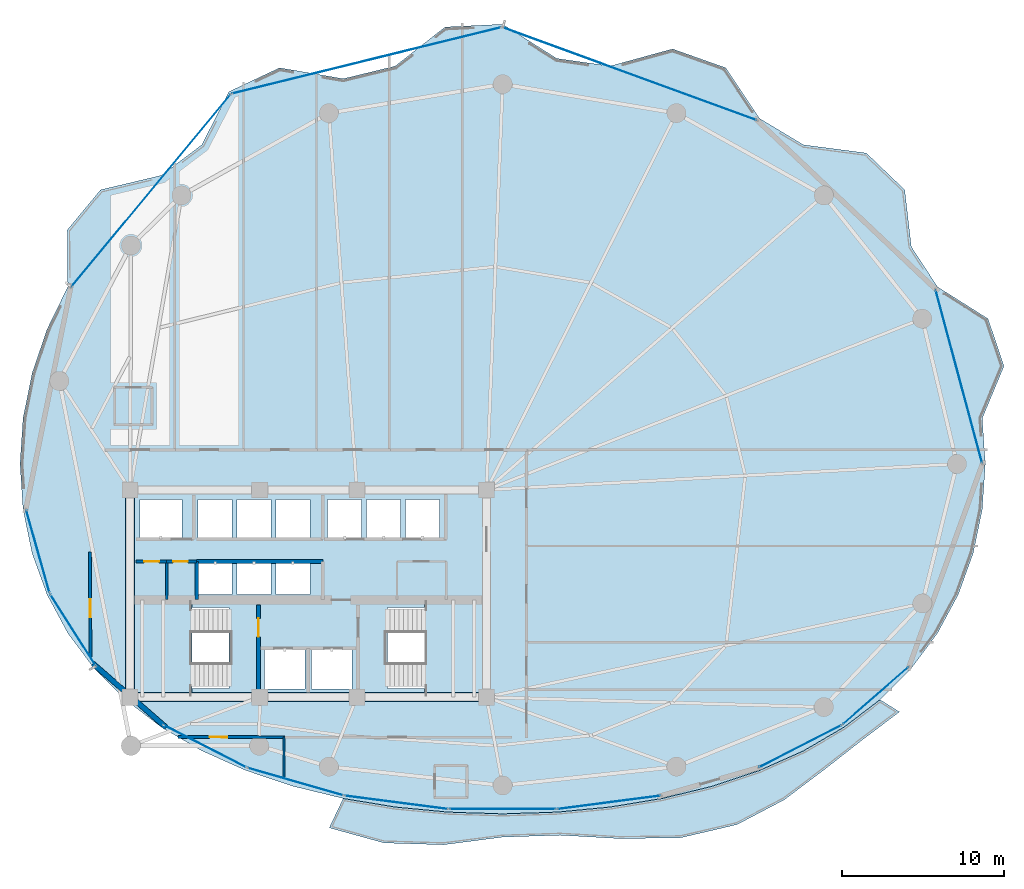
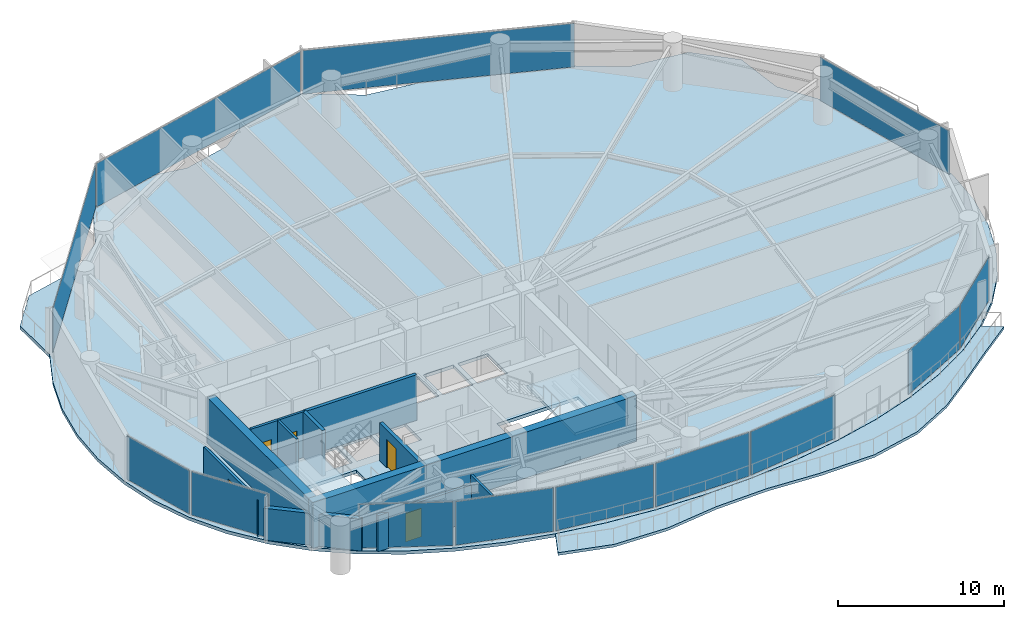
# One storey, part 22 of 28: 13 plates, 12 walls, 5 doors, 4 slabs, 5 openings, 15 elements without a shape of their own.
"""IFC4 building model written with IfcOpenShell, lengths in metres."""

import ifcopenshell
import ifcopenshell.guid

model = None  # the IFC model being written
_history = None  # IfcOwnerHistory: only IFC2X3 demands one
_inside = {}  # id of a spatial element -> (the spatial element, [elements in it])
_under = {}  # id of a project, library or spatial element -> (it, [spatial elements below it])
_declared = {}  # id of a project -> (the project, [libraries it declares])
_typed = {}  # id of a type object -> (the type object, [elements of that type])
_made_of = {}  # id of a material, layer set ... -> (it, [elements and type objects made of it])


def new_model(schema):
    """Start an empty IFC model of exactly this schema.

    Asked for "IFC4X3", IfcOpenShell would pick the latest addendum, in which some entities
    have other attributes; the version numbers below select the first issue.
    IFC2X3 requires an IfcOwnerHistory on every rooted entity: one is made here for all.
    """
    global model, _history
    if schema == "IFC4X3":
        model = ifcopenshell.file(schema_version=(4, 3, 0, 0))
    else:
        model = ifcopenshell.file(schema=schema)
    _inside.clear()
    _under.clear()
    _declared.clear()
    _typed.clear()
    _made_of.clear()
    _history = None
    if model.schema == "IFC2X3":
        org = make("IfcOrganization", Name="unknown")
        user = make(
            "IfcPersonAndOrganization",
            ThePerson=make("IfcPerson", FamilyName="unknown"),
            TheOrganization=org,
        )
        app = make(
            "IfcApplication",
            ApplicationDeveloper=org,
            Version="unknown",
            ApplicationFullName="unknown",
            ApplicationIdentifier="unknown",
        )
        _history = make(
            "IfcOwnerHistory",
            OwningUser=user,
            OwningApplication=app,
            ChangeAction="ADDED",
            CreationDate=0,
        )
    return model


def make(cls, **values):
    """One entity of the class cls with the attributes given. An attribute that is None is left unset."""
    return model.create_entity(
        cls, **{name: value for name, value in values.items() if value is not None}
    )


def rooted(cls, **values):
    """An entity with a GlobalId (a new one), such as an element, a storey or a relation."""
    return make(cls, GlobalId=ifcopenshell.guid.new(), OwnerHistory=_history, **values)


def si_unit(unit_type, name, prefix=None):
    """IfcSIUnit, for example si_unit("LENGTHUNIT", "METRE", prefix="MILLI")."""
    return make("IfcSIUnit", UnitType=unit_type, Prefix=prefix, Name=name)


def assignment(units):
    """IfcUnitAssignment: the units of a project."""
    return None if units is None else make("IfcUnitAssignment", Units=units)


def point(xyz):
    """IfcCartesianPoint."""
    return None if xyz is None else make("IfcCartesianPoint", Coordinates=xyz)


def direction(xyz):
    """IfcDirection."""
    return None if xyz is None else make("IfcDirection", DirectionRatios=xyz)


def frame(location, z_axis=None, x_axis=None):
    """IfcAxis2Placement3D, a coordinate frame: its origin and axes. An axis left out is left unset."""
    return make(
        "IfcAxis2Placement3D",
        Location=point(location),
        Axis=direction(z_axis),
        RefDirection=direction(x_axis),
    )


def frame_2d(location, x_axis=None):
    """IfcAxis2Placement2D, a coordinate frame in the plane: its origin and x axis."""
    return make(
        "IfcAxis2Placement2D", Location=point(location), RefDirection=direction(x_axis)
    )


def origin():
    """The frame at (0, 0, 0) with its axes left unset."""
    return frame((0.0, 0.0, 0.0))


def origin_2d():
    """The frame at (0, 0) in the plane with its x axis left unset."""
    return frame_2d((0.0, 0.0))


def place(relative_to, where):
    """IfcLocalPlacement: puts the frame where relative to a parent placement (None: the world)."""
    return make(
        "IfcLocalPlacement", PlacementRelTo=relative_to, RelativePlacement=where
    )


def context(
    kind, dimensions, precision=None, world=None, true_north=None, identifier=None
):
    """IfcGeometricRepresentationContext, for example the 3D "Model" context."""
    return make(
        "IfcGeometricRepresentationContext",
        ContextIdentifier=identifier,
        ContextType=kind,
        CoordinateSpaceDimension=dimensions,
        Precision=precision,
        WorldCoordinateSystem=world,
        TrueNorth=true_north,
    )


def subcontext(parent, identifier, kind, view, scale=None):
    """IfcGeometricRepresentationSubContext, for example "Body" below "Model"."""
    return make(
        "IfcGeometricRepresentationSubContext",
        ContextIdentifier=identifier,
        ContextType=kind,
        ParentContext=parent,
        TargetScale=scale,
        TargetView=view,
    )


def project(units=None, contexts=None):
    """IfcProject with its units and contexts."""
    return rooted(
        "IfcProject",
        Name="project",
        RepresentationContexts=contexts,
        UnitsInContext=assignment(units),
    )


def spatial(cls, under=None, at=None, **own):
    """A site, building, storey or space (cls), placed at a placement, below another one or the project."""
    s = rooted(cls, ObjectPlacement=at, **own)
    if under is not None:
        _under.setdefault(under.id(), (under, []))[1].append(s)
    return s


def polyline(points):
    """IfcPolyline through the points."""
    return make("IfcPolyline", Points=[point(p) for p in points])


def profile(cls, at=None, kind="AREA", **sizes):
    """A parametric profile (cls). Its sizes go by their IFC names, for example OverallWidth=200.0."""
    return make(cls, ProfileType=kind, Position=at, **sizes)


def rectangle(**sizes):
    """IfcRectangleProfileDef."""
    return profile("IfcRectangleProfileDef", **sizes)


def outline(outer, holes=None, kind="AREA"):
    """IfcArbitraryClosedProfileDef: a profile drawn as a closed curve; with holes, ...WithVoids."""
    if holes is None:
        return make("IfcArbitraryClosedProfileDef", ProfileType=kind, OuterCurve=outer)
    return make(
        "IfcArbitraryProfileDefWithVoids",
        ProfileType=kind,
        OuterCurve=outer,
        InnerCurves=holes,
    )


def extrude(swept, where, along, depth):
    """IfcExtrudedAreaSolid: the profile swept, set in the frame where, extruded along a direction by depth."""
    return make(
        "IfcExtrudedAreaSolid",
        SweptArea=swept,
        Position=where,
        ExtrudedDirection=direction(along),
        Depth=depth,
    )


def shape(context_of_items, identifier, shape_type, items):
    """IfcShapeRepresentation: the items that make up one representation, for example the "Body"."""
    return make(
        "IfcShapeRepresentation",
        ContextOfItems=context_of_items,
        RepresentationIdentifier=identifier,
        RepresentationType=shape_type,
        Items=items,
    )


def material(Name=None, Category=None):
    """IfcMaterial."""
    return make("IfcMaterial", Name=Name, Category=Category)


def layer(
    of_material, thickness, ventilated=None, Name=None, Category=None, Priority=None
):
    """IfcMaterialLayer: one layer of a wall or slab, of a material (None: an air gap)."""
    return make(
        "IfcMaterialLayer",
        Material=of_material,
        LayerThickness=thickness,
        IsVentilated=ventilated,
        Name=Name,
        Category=Category,
        Priority=Priority,
    )


def layer_set(layers, Name=None):
    """IfcMaterialLayerSet."""
    return make("IfcMaterialLayerSet", MaterialLayers=layers, LayerSetName=Name)


def made_of(thing, what):
    """Note that an element or type object is made of a material, layer set ...; save() writes the relation."""
    if what is not None:
        _made_of.setdefault(what.id(), (what, []))[1].append(thing)
    return thing


def type_object(cls, material=None, **own):
    """A type object (cls), such as IfcWallType, which elements share."""
    return made_of(rooted(cls, **own), material)


def element(
    cls,
    number,
    at=None,
    inside=None,
    cuts=None,
    type_object=None,
    material=None,
    context=None,
    identifier="Body",
    shape_type=None,
    held_by="IfcProductDefinitionShape",
    body=None,
    shapes=None,
    **own,
):
    """One element of the class cls, such as IfcWall. Its Tag is "e" and its number.

    at: its placement. inside: the storey or other place that contains it. cuts: it is an
    opening in that element (IfcRelVoidsElement). A single representation is given by context,
    identifier, shape_type and body (its items); several are given by shapes. held_by: the class
    of the entity that holds the representations. save() writes the other relations.
    """
    e = rooted(cls, Tag="e%d" % number, ObjectPlacement=at, **own)
    if body is not None:
        shapes = [shape(context, identifier, shape_type, body)]
    if shapes is not None:
        e.Representation = make(held_by, Representations=shapes)
    if inside is not None:
        _inside.setdefault(inside.id(), (inside, []))[1].append(e)
    if cuts is not None:
        rooted(
            "IfcRelVoidsElement", RelatingBuildingElement=cuts, RelatedOpeningElement=e
        )
    if type_object is not None:
        _typed.setdefault(type_object.id(), (type_object, []))[1].append(e)
    return made_of(e, material)


def fill(opening, filler):
    """IfcRelFillsElement: the door or window that sits in an opening."""
    return rooted(
        "IfcRelFillsElement",
        RelatingOpeningElement=opening,
        RelatedBuildingElement=filler,
    )


def aggregate(whole, parts):
    """IfcRelAggregates: a whole, such as a stair, and the parts it consists of."""
    return rooted("IfcRelAggregates", RelatingObject=whole, RelatedObjects=parts)


def save(model, path):
    """Write the relations noted so far, then the file.

    IfcRelAggregates (storeys below a building ...), IfcRelContainedInSpatialStructure (elements
    in a storey), IfcRelDefinesByType, IfcRelAssociatesMaterial and IfcRelDeclares: one each for
    every whole, place, type object, material and project.
    """
    for whole, parts in _under.values():
        aggregate(whole, parts)
    for where, things in _inside.values():
        rooted(
            "IfcRelContainedInSpatialStructure",
            RelatedElements=things,
            RelatingStructure=where,
        )
    for kind, things in _typed.values():
        rooted("IfcRelDefinesByType", RelatedObjects=things, RelatingType=kind)
    for what, things in _made_of.values():
        rooted("IfcRelAssociatesMaterial", RelatedObjects=things, RelatingMaterial=what)
    for by, libraries in _declared.values():
        rooted("IfcRelDeclares", RelatingContext=by, RelatedDefinitions=libraries)
    model.write(path)


model = new_model("IFC4")

# Units and contexts
model_context = context("Model", 3, precision=1e-05, world=origin(), true_north=direction((0.0, 1.0)))
body_context = subcontext(model_context, "Body", "Model", "MODEL_VIEW")
ifc_project = project(units=[si_unit("LENGTHUNIT", "METRE"), si_unit("AREAUNIT", "SQUARE_METRE"), si_unit("VOLUMEUNIT", "CUBIC_METRE"), si_unit("PLANEANGLEUNIT", "RADIAN"), si_unit("MASSUNIT", "GRAM", prefix="KILO")], contexts=[model_context])

# Site, building, storey
site_placement = place(None, origin())
site = spatial("IfcSite", under=ifc_project, at=site_placement, CompositionType="ELEMENT")
building_placement = place(site_placement, origin())
building = spatial("IfcBuilding", under=site, at=building_placement, Name="Kazevale Care Tower and Concert Hall", CompositionType="ELEMENT")
storey_placement = place(building_placement, frame((0.0, 0.0, 102.60009765625)))
storey = spatial("IfcBuildingStorey", under=building, at=storey_placement, Name="L26", CompositionType="ELEMENT", Elevation=102.60009765625)

# Curtain wall, plate
ifc_material_1 = material(Name="Aluminium 6063-T6 and Low-E Glass", Category="aluminium")
ifc_layer_1 = layer(ifc_material_1, 0.179931640625)
ifc_layer_set_1 = layer_set([ifc_layer_1], Name="Aluminium 6063-T6 and Low-E Glass")
curtain_wall_type_1 = type_object("IfcCurtainWallType", Name="Convex Checkerboard Finned Curtain Wall CW-2", PredefinedType="NOTDEFINED", material=ifc_layer_set_1)
curtain_wall_1_placement = place(storey_placement, origin())
curtain_wall_1 = element("IfcCurtainWall", 1, at=curtain_wall_1_placement, inside=storey, type_object=curtain_wall_type_1, Name="cw:L26:f14", PredefinedType="NOTDEFINED")
ifc_material_2 = material(Name="Low-E Laminated Glass", Category="glass")
ifc_layer_2 = layer(ifc_material_2, 0.028076171875)
ifc_layer_set_2 = layer_set([ifc_layer_2], Name="Low-E Laminated Glass")
plate_type_1 = type_object("IfcPlateType", Name="CW-2 Low-E Glazing Panel 28mm", PredefinedType="CURTAIN_PANEL", material=ifc_layer_set_2)
plate_1_placement = place(storey_placement, frame((23.285888671875, 54.87255859375, 0.074951171875), z_axis=(0.0, 0.0, 1.0), x_axis=(0.637984048061, 0.770049579196, 0.0)))
plate_1 = element("IfcPlate", 2, at=plate_1_placement, type_object=plate_type_1, Name="CW-2 panel 1.1", PredefinedType="CURTAIN_PANEL", context=body_context, shape_type="SweptSolid", body=[
    extrude(rectangle(XDim=15.3701171875, YDim=0.028076171875, at=origin_2d()), origin(), (0.0, 0.0, 1.0), 3.2099609375),
])
aggregate(curtain_wall_1, [plate_1])

curtain_wall_2_placement = place(storey_placement, origin())
curtain_wall_2 = element("IfcCurtainWall", 3, at=curtain_wall_2_placement, inside=storey, type_object=curtain_wall_type_1, Name="cw:L26:f16", PredefinedType="NOTDEFINED")
plate_2_placement = place(storey_placement, frame((52.839599609375, 62.08544921875, 0.074951171875), z_axis=(0.0, 0.0, 1.0), x_axis=(0.939283008641, -0.343143453498, 0.0)))
plate_2 = element("IfcPlate", 4, at=plate_2_placement, type_object=plate_type_1, Name="CW-2 panel 1.1", PredefinedType="CURTAIN_PANEL", context=body_context, shape_type="SweptSolid", body=[
    extrude(rectangle(XDim=16.634765625, YDim=0.028076171875, at=origin_2d()), origin(), (0.0, 0.0, 1.0), 3.2099609375),
])
aggregate(curtain_wall_2, [plate_2])

ifc_layer_3 = layer(ifc_material_1, 0.179931640625)
ifc_layer_set_3 = layer_set([ifc_layer_3], Name="Aluminium 6063-T6 and Low-E Glass")
curtain_wall_type_2 = type_object("IfcCurtainWallType", Name="Convex Recessed Sunroom Curtain Wall CW-3", PredefinedType="NOTDEFINED", material=ifc_layer_set_3)
curtain_wall_3_placement = place(storey_placement, origin())
curtain_wall_3 = element("IfcCurtainWall", 5, at=curtain_wall_3_placement, inside=storey, type_object=curtain_wall_type_2, Name="cw:L26:f15", PredefinedType="NOTDEFINED")
ifc_layer_4 = layer(ifc_material_2, 0.028076171875)
ifc_layer_set_4 = layer_set([ifc_layer_4], Name="Low-E Laminated Glass")
plate_type_2 = type_object("IfcPlateType", Name="CW-3 Low-E Glazing Panel 28mm", PredefinedType="CURTAIN_PANEL", material=ifc_layer_set_4)
plate_3_placement = place(storey_placement, frame((36.595947265625, 62.909423828125, 0.074951171875), z_axis=(0.0, 0.0, 1.0), x_axis=(0.970997657217, 0.239088999495, 0.0)))
plate_3 = element("IfcPlate", 6, at=plate_3_placement, type_object=plate_type_2, Name="CW-3 panel 1.1", PredefinedType="CURTAIN_PANEL", context=body_context, shape_type="SweptSolid", body=[
    extrude(rectangle(XDim=17.061279296875, YDim=0.028076171875, at=origin_2d()), origin(), (0.0, 0.0, 1.0), 3.2099609375),
])
aggregate(curtain_wall_3, [plate_3])

ifc_layer_5 = layer(ifc_material_1, 0.179931640625)
ifc_layer_set_5 = layer_set([ifc_layer_5], Name="Aluminium 6063-T6 and Low-E Glass")
curtain_wall_type_3 = type_object("IfcCurtainWallType", Name="Waist & Upper Residential Curtain Wall CW-4", PredefinedType="NOTDEFINED", material=ifc_layer_set_5)
curtain_wall_4_placement = place(storey_placement, origin())
curtain_wall_4 = element("IfcCurtainWall", 7, at=curtain_wall_4_placement, inside=storey, type_object=curtain_wall_type_3, Name="cw:L26:f11", PredefinedType="NOTDEFINED")
ifc_layer_6 = layer(ifc_material_2, 0.030029296875)
ifc_layer_set_6 = layer_set([ifc_layer_6], Name="Low-E Laminated Glass")
plate_type_3 = type_object("IfcPlateType", Name="CW-4 Low-E Glazing Panel 30mm", PredefinedType="CURTAIN_PANEL", material=ifc_layer_set_6)
plate_4_placement = place(storey_placement, frame((18.470458984375, 27.75244140625, 0.080078125), z_axis=(0.0, 0.0, 1.0), x_axis=(-0.537239193981, 0.843429930967, 0.0)))
plate_4 = element("IfcPlate", 8, at=plate_4_placement, type_object=plate_type_3, Name="CW-4 panel 1.1", PredefinedType="CURTAIN_PANEL", context=body_context, shape_type="SweptSolid", body=[
    extrude(rectangle(XDim=5.176513671875, YDim=0.030029296875, at=origin_2d()), origin(), (0.0, 0.0, 1.0), 3.199951171875),
])
aggregate(curtain_wall_4, [plate_4])

curtain_wall_5_placement = place(storey_placement, origin())
curtain_wall_5 = element("IfcCurtainWall", 9, at=curtain_wall_5_placement, inside=storey, type_object=curtain_wall_type_3, Name="cw:L26:f12", PredefinedType="NOTDEFINED")
plate_5_placement = place(storey_placement, frame((16.301513671875, 32.612548828125, 0.080078125), z_axis=(0.0, 0.0, 1.0), x_axis=(-0.271284948278, 0.962499078876, 0.0)))
plate_5 = element("IfcPlate", 10, at=plate_5_placement, type_object=plate_type_3, Name="CW-4 panel 1.1", PredefinedType="CURTAIN_PANEL", context=body_context, shape_type="SweptSolid", body=[
    extrude(rectangle(XDim=5.262451171875, YDim=0.030029296875, at=origin_2d()), origin(), (0.0, 0.0, 1.0), 3.199951171875),
])
aggregate(curtain_wall_5, [plate_5])

curtain_wall_6_placement = place(storey_placement, origin())
curtain_wall_6 = element("IfcCurtainWall", 11, at=curtain_wall_6_placement, inside=storey, type_object=curtain_wall_type_3, Name="cw:L26:f18", PredefinedType="NOTDEFINED")
plate_6_placement = place(storey_placement, frame((73.169921875, 43.401611328125, 0.080078125), z_axis=(0.0, 0.0, 1.0), x_axis=(0.259264848961, -0.965806263229, 0.0)))
plate_6 = element("IfcPlate", 12, at=plate_6_placement, type_object=plate_type_3, Name="CW-4 panel 1.1", PredefinedType="CURTAIN_PANEL", context=body_context, shape_type="SweptSolid", body=[
    extrude(rectangle(XDim=11.025390625, YDim=0.030029296875, at=origin_2d()), origin(), (0.0, 0.0, 1.0), 3.199951171875),
])
aggregate(curtain_wall_6, [plate_6])

ifc_layer_7 = layer(ifc_material_1, 0.179931640625)
ifc_layer_set_7 = layer_set([ifc_layer_7], Name="Aluminium 6063-T6 and Low-E Glass")
curtain_wall_type_4 = type_object("IfcCurtainWallType", Name="Sheltered Concave Balcony Curtain Wall CW-5", PredefinedType="NOTDEFINED", material=ifc_layer_set_7)
curtain_wall_7_placement = place(storey_placement, origin())
curtain_wall_7 = element("IfcCurtainWall", 13, at=curtain_wall_7_placement, inside=storey, type_object=curtain_wall_type_4, Name="cw:L26:f02", PredefinedType="NOTDEFINED")
ifc_layer_8 = layer(ifc_material_2, 0.02587890625)
ifc_layer_set_8 = layer_set([ifc_layer_8], Name="Low-E Laminated Glass")
plate_type_4 = type_object("IfcPlateType", Name="CW-5 Low-E Glazing Panel 26mm", PredefinedType="CURTAIN_PANEL", material=ifc_layer_set_8)
plate_7_placement = place(storey_placement, frame((68.033447265625, 23.699951171875, 0.074951171875), z_axis=(0.0, 0.0, 1.0), x_axis=(-0.753062779437, -0.657948668382, 0.0)))
plate_7 = element("IfcPlate", 14, at=plate_7_placement, type_object=plate_type_4, Name="CW-5 panel 1.1", PredefinedType="CURTAIN_PANEL", context=body_context, shape_type="SweptSolid", body=[
    extrude(rectangle(XDim=5.32763671875, YDim=0.02587890625, at=origin_2d()), origin(), (0.0, 0.0, 1.0), 3.2099609375),
])
aggregate(curtain_wall_7, [plate_7])

curtain_wall_8_placement = place(storey_placement, origin())
curtain_wall_8 = element("IfcCurtainWall", 15, at=curtain_wall_8_placement, inside=storey, type_object=curtain_wall_type_4, Name="cw:L26:f03", PredefinedType="NOTDEFINED")
plate_8_placement = place(storey_placement, frame((63.3798828125, 20.571533203125, 0.074951171875), z_axis=(0.0, 0.0, 1.0), x_axis=(-0.890126646051, -0.455713236575, 0.0)))
plate_8 = element("IfcPlate", 16, at=plate_8_placement, type_object=plate_type_4, Name="CW-5 panel 1.1", PredefinedType="CURTAIN_PANEL", context=body_context, shape_type="SweptSolid", body=[
    extrude(rectangle(XDim=5.671630859375, YDim=0.02587890625, at=origin_2d()), origin(), (0.0, 0.0, 1.0), 3.2099609375),
])
aggregate(curtain_wall_8, [plate_8])

curtain_wall_9_placement = place(storey_placement, origin())
curtain_wall_9 = element("IfcCurtainWall", 17, at=curtain_wall_9_placement, inside=storey, type_object=curtain_wall_type_4, Name="cw:L26:f05", PredefinedType="NOTDEFINED")
plate_9_placement = place(storey_placement, frame((51.5654296875, 17.1044921875, 0.074951171875), z_axis=(0.0, 0.0, 1.0), x_axis=(-0.991685519364, -0.12868500567, 0.0)))
plate_9 = element("IfcPlate", 18, at=plate_9_placement, type_object=plate_type_4, Name="CW-5 panel 1.1", PredefinedType="CURTAIN_PANEL", context=body_context, shape_type="SweptSolid", body=[
    extrude(rectangle(XDim=6.38525390625, YDim=0.02587890625, at=origin_2d()), origin(), (0.0, 0.0, 1.0), 3.2099609375),
])
aggregate(curtain_wall_9, [plate_9])

curtain_wall_10_placement = place(storey_placement, origin())
curtain_wall_10 = element("IfcCurtainWall", 19, at=curtain_wall_10_placement, inside=storey, type_object=curtain_wall_type_4, Name="cw:L26:f06", PredefinedType="NOTDEFINED")
plate_10_placement = place(storey_placement, frame((45.0, 16.68408203125, 0.074951171875), z_axis=(0.0, 0.0, 1.0), x_axis=(-1.0, 0.0, 0.0)))
plate_10 = element("IfcPlate", 20, at=plate_10_placement, type_object=plate_type_4, Name="CW-5 panel 1.1", PredefinedType="CURTAIN_PANEL", context=body_context, shape_type="SweptSolid", body=[
    extrude(rectangle(XDim=6.5, YDim=0.02587890625, at=origin_2d()), origin(), (0.0, 0.0, 1.0), 3.2099609375),
])
aggregate(curtain_wall_10, [plate_10])

curtain_wall_11_placement = place(storey_placement, origin())
curtain_wall_11 = element("IfcCurtainWall", 21, at=curtain_wall_11_placement, inside=storey, type_object=curtain_wall_type_4, Name="cw:L26:f07", PredefinedType="NOTDEFINED")
plate_11_placement = place(storey_placement, frame((38.4345703125, 17.1044921875, 0.074951171875), z_axis=(0.0, 0.0, 1.0), x_axis=(-0.991685519364, 0.12868500567, 0.0)))
plate_11 = element("IfcPlate", 22, at=plate_11_placement, type_object=plate_type_4, Name="CW-5 panel 1.1", PredefinedType="CURTAIN_PANEL", context=body_context, shape_type="SweptSolid", body=[
    extrude(rectangle(XDim=6.38525390625, YDim=0.02587890625, at=origin_2d()), origin(), (0.0, 0.0, 1.0), 3.2099609375),
])
aggregate(curtain_wall_11, [plate_11])

curtain_wall_12_placement = place(storey_placement, origin())
curtain_wall_12 = element("IfcCurtainWall", 23, at=curtain_wall_12_placement, inside=storey, type_object=curtain_wall_type_4, Name="cw:L26:f08", PredefinedType="NOTDEFINED")
plate_12_placement = place(storey_placement, frame((32.202392578125, 18.385009765625, 0.074951171875), z_axis=(0.0, 0.0, 1.0), x_axis=(-0.961074102639, 0.276290733172, 0.0)))
plate_12 = element("IfcPlate", 24, at=plate_12_placement, type_object=plate_type_4, Name="CW-5 panel 1.1", PredefinedType="CURTAIN_PANEL", context=body_context, shape_type="SweptSolid", body=[
    extrude(rectangle(XDim=6.075439453125, YDim=0.02587890625, at=origin_2d()), origin(), (0.0, 0.0, 1.0), 3.2099609375),
])
aggregate(curtain_wall_12, [plate_12])

curtain_wall_13_placement = place(storey_placement, origin())
curtain_wall_13 = element("IfcCurtainWall", 25, at=curtain_wall_13_placement, inside=storey, type_object=curtain_wall_type_4, Name="cw:L26:f09", PredefinedType="NOTDEFINED")
plate_13_placement = place(storey_placement, frame((26.6201171875, 20.571533203125, 0.074951171875), z_axis=(0.0, 0.0, 1.0), x_axis=(-0.890126646051, 0.455713236575, 0.0)))
plate_13 = element("IfcPlate", 26, at=plate_13_placement, type_object=plate_type_4, Name="CW-5 panel 1.1", PredefinedType="CURTAIN_PANEL", context=body_context, shape_type="SweptSolid", body=[
    extrude(rectangle(XDim=5.671630859375, YDim=0.02587890625, at=origin_2d()), origin(), (0.0, 0.0, 1.0), 3.2099609375),
])
aggregate(curtain_wall_13, [plate_13])

# Slab
ifc_material_3 = material(Name="Concrete C40", Category="concrete")
ifc_layer_9 = layer(ifc_material_3, 0.199951171875)
ifc_layer_set_9 = layer_set([ifc_layer_9], Name="Concrete C40")
slab_type_1 = type_object("IfcSlabType", Name="Sinusoidal Concave Balcony Slab 200", PredefinedType="USERDEFINED", material=ifc_layer_set_9)
slab_1_placement = place(storey_placement, frame((0.0, 0.0, -0.2001953125)))
element("IfcSlab", 27, at=slab_1_placement, inside=storey, type_object=slab_type_1, Name="slab:L26:bal", ObjectType="BALCONY", PredefinedType="USERDEFINED", context=body_context, shape_type="SweptSolid", body=[
    extrude(outline(polyline([(69.502685546875, 22.6943359375), (67.14794921875, 20.917724609375), (64.82861328125, 19.10205078125), (62.377197265625, 17.26025390625), (59.466552734375, 15.73291015625), (55.998291015625, 14.922607421875), (52.24169921875, 14.868408203125), (48.55810546875, 15.07763671875), (45.0, 14.960693359375), (41.3505859375, 14.48779296875), (37.6748046875, 14.601806640625), (34.293701171875, 15.53515625), (35.155517578125, 17.343505859375), (35.15673828125, 17.34326171875), (38.368408203125, 16.81396484375), (41.6630859375, 16.49951171875), (45.0, 16.39501953125), (48.3369140625, 16.49951171875), (51.631591796875, 16.81396484375), (54.84326171875, 17.34326171875), (57.93115234375, 18.09375), (60.8564453125, 19.07275390625), (63.582275390625, 20.28759765625), (66.07470703125, 21.74365234375), (68.302001953125, 23.442626953125), (68.302978515625, 23.44384765625), (69.502685546875, 22.6943359375)])), origin(), (0.0, 0.0, 1.0), 0.2001953125),
])

# Stair, slab
stair_type = type_object("IfcStairType", Name="Exit Stair Assembly ST1-Z2", PredefinedType="HALF_TURN_STAIR", material=ifc_material_3)
stair_1_placement = place(storey_placement, origin())
stair_1 = element("IfcStair", 28, at=stair_1_placement, inside=storey, type_object=stair_type, Name="stair:L26:ST1", PredefinedType="HALF_TURN_STAIR")
ifc_layer_10 = layer(ifc_material_3, 0.199951171875)
ifc_layer_set_10 = layer_set([ifc_layer_10], Name="Concrete C40")
slab_type_2 = type_object("IfcSlabType", Name="Stair Half-Landing Slab ST1-Z2", PredefinedType="LANDING", material=ifc_layer_set_10)
slab_2_placement = place(storey_placement, frame((0.0, 0.0, 1.599853515625)))
slab_2 = element("IfcSlab", 29, at=slab_2_placement, type_object=slab_type_2, Name="ST1-Z2 landing 1", PredefinedType="LANDING", context=body_context, shape_type="SweptSolid", body=[
    extrude(outline(polyline([(22.050048828125, 23.699951171875), (25.81005859375, 23.699951171875), (25.81005859375, 29.5), (22.050048828125, 29.5), (22.050048828125, 23.699951171875)])), origin(), (0.0, 0.0, 1.0), 0.199951171875),
])
aggregate(stair_1, [slab_2])

stair_2_placement = place(storey_placement, origin())
stair_2 = element("IfcStair", 30, at=stair_2_placement, inside=storey, type_object=stair_type, Name="stair:L26:ST2", PredefinedType="HALF_TURN_STAIR")
slab_3_placement = place(storey_placement, frame((0.0, 0.0, 1.599853515625)))
slab_3 = element("IfcSlab", 31, at=slab_3_placement, type_object=slab_type_2, Name="ST1-Z2 landing 1", PredefinedType="LANDING", context=body_context, shape_type="SweptSolid", body=[
    extrude(outline(polyline([(40.18994140625, 23.699951171875), (43.949951171875, 23.699951171875), (43.949951171875, 29.5), (40.18994140625, 29.5), (40.18994140625, 23.699951171875)])), origin(), (0.0, 0.0, 1.0), 0.199951171875),
])
aggregate(stair_2, [slab_3])

# Slab
ifc_layer_11 = layer(ifc_material_3, 0.239990234375)
ifc_layer_set_11 = layer_set([ifc_layer_11], Name="Concrete C40")
slab_type_3 = type_object("IfcSlabType", Name="Tower Typical Floor Slab 240", PredefinedType="FLOOR", material=ifc_layer_set_11)
slab_4_placement = place(storey_placement, frame((0.0, 0.0, -0.239990234375)))
element("IfcSlab", 32, at=slab_4_placement, inside=storey, type_object=slab_type_3, Name="slab:L26:tw:1", PredefinedType="FLOOR", context=body_context, shape_type="SweptSolid", body=[
    extrude(outline(polyline([(74.800048828125, 38.0), (74.612548828125, 40.821533203125), (75.9541015625, 44.04150390625), (74.96826171875, 46.967041015625), (71.848876953125, 48.933837890625), (70.232421875, 51.4072265625), (69.822998046875, 54.927734375), (67.45068359375, 57.197998046875), (63.580078125, 57.7021484375), (60.8544921875, 59.33740234375), (58.77587890625, 62.461181640625), (55.486328125, 63.62646484375), (51.631103515625, 62.568115234375), (48.33642578125, 63.04150390625), (45.0, 65.14990234375), (41.445068359375, 64.979248046875), (38.368896484375, 62.568115234375), (35.15771484375, 61.785888671875), (31.22412109375, 62.461181640625), (28.10791015625, 60.988525390625), (26.419921875, 57.7021484375), (23.92822265625, 55.819091796875), (20.177001953125, 54.927734375), (18.116455078125, 52.444580078125), (18.151123046875, 48.933837890625), (16.872314453125, 46.322998046875), (15.947021484375, 43.607421875), (15.387451171875, 40.821533203125), (15.199951171875, 38.0), (15.387451171875, 35.197265625), (15.947021484375, 32.490234375), (16.872314453125, 29.92919921875), (18.151123046875, 27.551513671875), (19.767578125, 25.384521484375), (21.701416015625, 23.446533203125), (23.92822265625, 21.747802734375), (26.419921875, 20.2919921875), (29.1455078125, 19.077392578125), (32.0703125, 18.098388671875), (35.15771484375, 17.34814453125), (38.368896484375, 16.819091796875), (41.66357421875, 16.50439453125), (45.0, 16.39990234375), (48.33642578125, 16.50439453125), (51.631103515625, 16.819091796875), (54.84228515625, 17.34814453125), (57.9296875, 18.098388671875), (60.8544921875, 19.077392578125), (63.580078125, 20.2919921875), (66.07177734375, 21.747802734375), (68.298583984375, 23.446533203125), (70.232421875, 25.384521484375), (71.848876953125, 27.551513671875), (73.127685546875, 29.92919921875), (74.052978515625, 32.490234375), (74.612548828125, 35.197265625), (74.800048828125, 38.0)]), holes=[polyline([(22.449951171875, 24.14990234375), (28.110107421875, 24.14990234375), (28.110107421875, 29.14990234375), (22.449951171875, 29.14990234375), (22.449951171875, 24.14990234375)]), polyline([(37.889892578125, 24.14990234375), (43.550048828125, 24.14990234375), (43.550048828125, 29.14990234375), (37.889892578125, 29.14990234375), (37.889892578125, 24.14990234375)]), polyline([(30.300048828125, 24.10009765625), (32.800048828125, 24.10009765625), (32.800048828125, 26.60009765625), (30.300048828125, 26.60009765625), (30.300048828125, 24.10009765625)]), polyline([(33.199951171875, 24.10009765625), (35.699951171875, 24.10009765625), (35.699951171875, 26.60009765625), (33.199951171875, 26.60009765625), (33.199951171875, 24.10009765625)]), polyline([(22.60009765625, 33.39990234375), (25.199951171875, 33.39990234375), (25.199951171875, 35.800048828125), (22.60009765625, 35.800048828125), (22.60009765625, 33.39990234375)]), polyline([(26.199951171875, 33.39990234375), (28.300048828125, 33.39990234375), (28.300048828125, 35.800048828125), (26.199951171875, 35.800048828125), (26.199951171875, 33.39990234375)]), polyline([(28.60009765625, 33.39990234375), (30.699951171875, 33.39990234375), (30.699951171875, 35.800048828125), (28.60009765625, 35.800048828125), (28.60009765625, 33.39990234375)]), polyline([(31.0, 33.39990234375), (33.10009765625, 33.39990234375), (33.10009765625, 35.800048828125), (31.0, 35.800048828125), (31.0, 33.39990234375)]), polyline([(34.199951171875, 33.39990234375), (36.300048828125, 33.39990234375), (36.300048828125, 35.800048828125), (34.199951171875, 35.800048828125), (34.199951171875, 33.39990234375)]), polyline([(36.60009765625, 33.39990234375), (38.699951171875, 33.39990234375), (38.699951171875, 35.800048828125), (36.60009765625, 35.800048828125), (36.60009765625, 33.39990234375)]), polyline([(39.0, 33.39990234375), (41.10009765625, 33.39990234375), (41.10009765625, 35.800048828125), (39.0, 35.800048828125), (39.0, 33.39990234375)]), polyline([(26.199951171875, 29.949951171875), (28.300048828125, 29.949951171875), (28.300048828125, 31.949951171875), (26.199951171875, 31.949951171875), (26.199951171875, 29.949951171875)]), polyline([(28.60009765625, 29.949951171875), (30.699951171875, 29.949951171875), (30.699951171875, 31.949951171875), (28.60009765625, 31.949951171875), (28.60009765625, 29.949951171875)]), polyline([(31.0, 29.949951171875), (33.10009765625, 29.949951171875), (33.10009765625, 31.949951171875), (31.0, 31.949951171875), (31.0, 29.949951171875)])]), origin(), (0.0, 0.0, 1.0), 0.239990234375),
])

# Walls
ifc_material_4 = material(Name="Acoustic Gypsum on Steel Stud", Category="steel")
ifc_layer_12 = layer(ifc_material_4, 0.139892578125)
ifc_layer_set_12 = layer_set([ifc_layer_12], Name="Acoustic Gypsum on Steel Stud")
wall_type_1 = type_object("IfcWallType", Name="Acoustic Care & Suite Partition 140", PredefinedType="PARTITIONING", material=ifc_layer_set_12)
wall_1_placement = place(storey_placement, frame((31.5, 21.155029296875, 0.0), z_axis=(0.0, 0.0, 1.0), x_axis=(0.0, -1.0, 0.0)))
element("IfcWall", 33, at=wall_1_placement, inside=storey, type_object=wall_type_1, Name="wall:L26:auto_023", PredefinedType="PARTITIONING", context=body_context, shape_type="SweptSolid", body=[
    extrude(rectangle(XDim=2.55810546875, YDim=0.139892578125, at=frame_2d((1.279052734375, 0.0))), origin(), (0.0, 0.0, 1.0), 3.35986328125),
])
ifc_material_5 = material(Name="Concrete C60", Category="concrete")
ifc_layer_13 = layer(ifc_material_5, 0.550048828125)
ifc_layer_set_13 = layer_set([ifc_layer_13], Name="Concrete C60")
wall_type_2 = type_object("IfcWallType", Name="Core Shear Wall 550 C60", PredefinedType="SHEAR", material=ifc_layer_set_13)
wall_2_placement = place(storey_placement, frame((21.72509765625, 23.60009765625, 0.0), z_axis=(0.0, 0.0, 1.0), x_axis=(1.0, 0.0, 0.0)))
element("IfcWall", 34, at=wall_2_placement, inside=storey, type_object=wall_type_2, Name="wall:L26:core:S", PredefinedType="SHEAR", context=body_context, shape_type="SweptSolid", body=[
    extrude(rectangle(XDim=22.5498046875, YDim=0.550048828125, at=frame_2d((11.27490234375, 0.0))), origin(), (0.0, 0.0, 1.0), 3.35986328125),
])
wall_3_placement = place(storey_placement, frame((22.0, 23.875, 0.0), z_axis=(0.0, 0.0, 1.0), x_axis=(0.0, 1.0, 0.0)))
element("IfcWall", 35, at=wall_3_placement, inside=storey, type_object=wall_type_2, Name="wall:L26:core:W", PredefinedType="SHEAR", context=body_context, shape_type="SweptSolid", body=[
    extrude(rectangle(XDim=12.25, YDim=0.550048828125, at=frame_2d((6.125, 0.0))), origin(), (0.0, 0.0, 1.0), 3.35986328125),
])
ifc_layer_14 = layer(ifc_material_3, 0.219970703125)
ifc_layer_set_14 = layer_set([ifc_layer_14], Name="Concrete C40")
wall_type_3 = type_object("IfcWallType", Name="Elevator Hoistway Shaft Wall 220", PredefinedType="SOLIDWALL", material=ifc_layer_set_14)
wall_4_placement = place(storey_placement, frame((26.10009765625, 29.6201171875, 0.0), z_axis=(0.0, 0.0, 1.0), x_axis=(0.0, 1.0, 0.0)))
element("IfcWall", 36, at=wall_4_placement, inside=storey, type_object=wall_type_3, Name="wall:L26:c_ph_w", PredefinedType="SOLIDWALL", context=body_context, shape_type="SweptSolid", body=[
    extrude(rectangle(XDim=2.35986328125, YDim=0.219970703125, at=frame_2d((1.179931640625, 0.0))), origin(), (0.0, 0.0, 1.0), 3.35986328125),
])
wall_5_placement = place(storey_placement, frame((26.10009765625, 31.97998046875, 0.0), z_axis=(0.0, 0.0, 1.0), x_axis=(1.0, 0.0, 0.0)))
element("IfcWall", 37, at=wall_5_placement, inside=storey, type_object=wall_type_3, Name="wall:L26:c_ph_n", PredefinedType="SOLIDWALL", context=body_context, shape_type="SweptSolid", body=[
    extrude(rectangle(XDim=7.7998046875, YDim=0.219970703125, at=frame_2d((3.89990234375, 0.0))), origin(), (0.0, 0.0, 1.0), 3.35986328125),
])

# Wall, opening, door
ifc_material_6 = material(Name="Concrete C40 and Acoustic Gypsum", Category="concrete")
ifc_layer_15 = layer(ifc_material_6, 0.179931640625)
ifc_layer_set_15 = layer_set([ifc_layer_15], Name="Concrete C40 and Acoustic Gypsum")
wall_type_4 = type_object("IfcWallType", Name="Fire-Rated Corridor & Party Wall 180", PredefinedType="PARTITIONING", material=ifc_layer_set_15)
wall_6_placement = place(storey_placement, frame((22.35009765625, 31.97998046875, 0.0), z_axis=(0.0, 0.0, 1.0), x_axis=(1.0, 0.0, 0.0)))
wall_6 = element("IfcWall", 38, at=wall_6_placement, inside=storey, type_object=wall_type_4, Name="wall:L26:kb_wn0", PredefinedType="PARTITIONING", context=body_context, shape_type="SweptSolid", body=[
    extrude(rectangle(XDim=1.909912109375, YDim=0.179931640625, at=frame_2d((0.955078125, 0.0))), origin(), (0.0, 0.0, 1.0), 3.35986328125),
])
opening_1_placement = place(wall_6_placement, frame((0.514892578125, 0.0, 0.0)))
opening_1 = element("IfcOpeningElement", 39, at=opening_1_placement, cuts=wall_6, Name="Opening ID-900", PredefinedType="OPENING", context=body_context, shape_type="SweptSolid", body=[
    extrude(rectangle(XDim=0.919921875, YDim=2.10009765625, at=frame_2d((0.4599609375, 1.050048828125))), frame((0.0, 0.099853515625, 0.0), z_axis=(0.0, -1.0, 0.0), x_axis=(1.0, 0.0, 0.0)), (0.0, 0.0, 1.0), 0.199951171875),
])
ifc_material_7 = material(Name="Oak Timber Fire Leaf", Category="wood")
door_type_1 = type_object("IfcDoorType", Name="Bathroom & Service Door 920x2100", OperationType="NOTDEFINED", PredefinedType="DOOR", material=ifc_material_7)
door_1_placement = place(opening_1_placement, origin())
door_1 = element("IfcDoor", 40, at=door_1_placement, inside=storey, type_object=door_type_1, Name="door:L26:d_kbw1", OperationType="SINGLE_SWING_LEFT", OverallHeight=2.10009765625, OverallWidth=0.919921875, PredefinedType="DOOR", context=body_context, shape_type="SweptSolid", body=[
    extrude(rectangle(XDim=0.919921875, YDim=2.10009765625, at=frame_2d((0.4599609375, 1.050048828125))), frame((0.0, 0.02490234375, 0.0), z_axis=(0.0, -1.0, 0.0), x_axis=(1.0, 0.0, 0.0)), (0.0, 0.0, 1.0), 0.050048828125),
])
fill(opening_1, door_1)

wall_7_placement = place(storey_placement, frame((31.56494140625, 21.125, 0.0), z_axis=(0.0, 0.0, 1.0), x_axis=(-0.99999586769, 0.002874822264, 0.0)))
wall_7 = element("IfcWall", 41, at=wall_7_placement, inside=storey, type_object=wall_type_4, Name="wall:L26:auto_011", PredefinedType="PARTITIONING", context=body_context, shape_type="SweptSolid", body=[
    extrude(rectangle(XDim=6.6240234375, YDim=0.179931640625, at=frame_2d((3.31201171875, 0.0))), origin(), (0.0, 0.0, 1.0), 2.656982421875),
])
opening_2_placement = place(wall_7_placement, frame((3.56201171875, 0.0, 0.0)))
opening_2 = element("IfcOpeningElement", 42, at=opening_2_placement, cuts=wall_7, Name="Opening ID-1100", PredefinedType="OPENING", context=body_context, shape_type="SweptSolid", body=[
    extrude(rectangle(XDim=1.10009765625, YDim=2.10009765625, at=frame_2d((0.550048828125, 1.050048828125))), frame((0.0, 0.099853515625, 0.0), z_axis=(0.0, -1.0, 0.0), x_axis=(1.0, 0.0, 0.0)), (0.0, 0.0, 1.0), 0.199951171875),
])
door_type_2 = type_object("IfcDoorType", Name="Care Bedroom Accessible Door 1100x2100", OperationType="NOTDEFINED", PredefinedType="DOOR", material=ifc_material_7)
door_2_placement = place(opening_2_placement, origin())
door_2 = element("IfcDoor", 43, at=door_2_placement, inside=storey, type_object=door_type_2, Name="door:L26:ad_011", OperationType="SINGLE_SWING_LEFT", OverallHeight=2.10009765625, OverallWidth=1.10009765625, PredefinedType="DOOR", context=body_context, shape_type="SweptSolid", body=[
    extrude(rectangle(XDim=1.10009765625, YDim=2.10009765625, at=frame_2d((0.550048828125, 1.050048828125))), frame((0.0, 0.02490234375, 0.0), z_axis=(0.0, -1.0, 0.0), x_axis=(1.0, 0.0, 0.0)), (0.0, 0.0, 1.0), 0.050048828125),
])
fill(opening_2, door_2)

wall_8_placement = place(storey_placement, frame((19.54541015625, 26.07470703125, 0.0), z_axis=(0.0, 0.0, 1.0), x_axis=(-0.003159779592, 0.999995007884, 0.0)))
wall_8 = element("IfcWall", 44, at=wall_8_placement, inside=storey, type_object=wall_type_4, Name="wall:L26:auto_013", PredefinedType="PARTITIONING", context=body_context, shape_type="SweptSolid", body=[
    extrude(rectangle(XDim=6.490234375, YDim=0.179931640625, at=frame_2d((3.2451171875, 0.0))), origin(), (0.0, 0.0, 1.0), 2.656982421875),
])
opening_3_placement = place(wall_8_placement, frame((2.458984375, 0.0, 0.0)))
opening_3 = element("IfcOpeningElement", 45, at=opening_3_placement, cuts=wall_8, Name="Opening ID-1100", PredefinedType="OPENING", context=body_context, shape_type="SweptSolid", body=[
    extrude(rectangle(XDim=1.10009765625, YDim=2.10009765625, at=frame_2d((0.550048828125, 1.050048828125))), frame((0.0, 0.099853515625, 0.0), z_axis=(0.0, -1.0, 0.0), x_axis=(1.0, 0.0, 0.0)), (0.0, 0.0, 1.0), 0.199951171875),
])
door_3_placement = place(opening_3_placement, origin())
door_3 = element("IfcDoor", 46, at=door_3_placement, inside=storey, type_object=door_type_2, Name="door:L26:ad_013", OperationType="SINGLE_SWING_LEFT", OverallHeight=2.10009765625, OverallWidth=1.10009765625, PredefinedType="DOOR", context=body_context, shape_type="SweptSolid", body=[
    extrude(rectangle(XDim=1.10009765625, YDim=2.10009765625, at=frame_2d((0.550048828125, 1.050048828125))), frame((0.0, 0.02490234375, 0.0), z_axis=(0.0, -1.0, 0.0), x_axis=(1.0, 0.0, 0.0)), (0.0, 0.0, 1.0), 0.050048828125),
])
fill(opening_3, door_3)

# Wall
ifc_layer_16 = layer(ifc_material_4, 0.159912109375)
ifc_layer_set_16 = layer_set([ifc_layer_16], Name="Acoustic Gypsum on Steel Stud")
wall_type_5 = type_object("IfcWallType", Name="Moisture-Resistant Bathroom Plumbing Wall 160", PredefinedType="PLUMBINGWALL", material=ifc_layer_set_16)
wall_9_placement = place(storey_placement, frame((24.260009765625, 29.6201171875, 0.0), z_axis=(0.0, 0.0, 1.0), x_axis=(0.0, 1.0, 0.0)))
element("IfcWall", 47, at=wall_9_placement, inside=storey, type_object=wall_type_5, Name="wall:L26:kb_we1", PredefinedType="PLUMBINGWALL", context=body_context, shape_type="SweptSolid", body=[
    extrude(rectangle(XDim=2.35986328125, YDim=0.159912109375, at=frame_2d((1.179931640625, 0.0))), origin(), (0.0, 0.0, 1.0), 3.35986328125),
])

# Wall, opening, door
wall_10_placement = place(storey_placement, frame((24.260009765625, 31.97998046875, 0.0), z_axis=(0.0, 0.0, 1.0), x_axis=(1.0, 0.0, 0.0)))
wall_10 = element("IfcWall", 48, at=wall_10_placement, inside=storey, type_object=wall_type_5, Name="wall:L26:kb_wn1", PredefinedType="PLUMBINGWALL", context=body_context, shape_type="SweptSolid", body=[
    extrude(rectangle(XDim=1.840087890625, YDim=0.159912109375, at=frame_2d((0.919921875, 0.0))), origin(), (0.0, 0.0, 1.0), 3.35986328125),
])
opening_4_placement = place(wall_10_placement, frame((0.387939453125, 0.0, 0.0)))
opening_4 = element("IfcOpeningElement", 49, at=opening_4_placement, cuts=wall_10, Name="Opening ID-900", PredefinedType="OPENING", context=body_context, shape_type="SweptSolid", body=[
    extrude(rectangle(XDim=0.919921875, YDim=2.10009765625, at=frame_2d((0.4599609375, 1.050048828125))), frame((0.0, 0.08984375, 0.0), z_axis=(0.0, -1.0, 0.0), x_axis=(1.0, 0.0, 0.0)), (0.0, 0.0, 1.0), 0.179931640625),
])
door_4_placement = place(opening_4_placement, origin())
door_4 = element("IfcDoor", 50, at=door_4_placement, inside=storey, type_object=door_type_1, Name="door:L26:d_kbw2", OperationType="SINGLE_SWING_RIGHT", OverallHeight=2.10009765625, OverallWidth=0.919921875, PredefinedType="DOOR", context=body_context, shape_type="SweptSolid", body=[
    extrude(rectangle(XDim=0.919921875, YDim=2.10009765625, at=frame_2d((0.4599609375, 1.050048828125))), frame((0.0, 0.02490234375, 0.0), z_axis=(0.0, -1.0, 0.0), x_axis=(1.0, 0.0, 0.0)), (0.0, 0.0, 1.0), 0.050048828125),
])
fill(opening_4, door_4)

ifc_layer_17 = layer(ifc_material_3, 0.25)
ifc_layer_set_17 = layer_set([ifc_layer_17], Name="Concrete C40")
wall_type_6 = type_object("IfcWallType", Name="Pressurized Stair Shaft Wall 250", PredefinedType="SOLIDWALL", material=ifc_layer_set_17)
wall_11_placement = place(storey_placement, frame((29.919921875, 23.89990234375, 0.0), z_axis=(0.0, 0.0, 1.0), x_axis=(0.0, 1.0, 0.0)))
wall_11 = element("IfcWall", 51, at=wall_11_placement, inside=storey, type_object=wall_type_6, Name="wall:L26:c_st1_e", PredefinedType="SOLIDWALL", context=body_context, shape_type="SweptSolid", body=[
    extrude(rectangle(XDim=5.400146484375, YDim=0.25, at=frame_2d((2.7001953125, 0.0))), origin(), (0.0, 0.0, 1.0), 2.805908203125),
])
opening_5_placement = place(wall_11_placement, frame((3.4208984375, 0.0, 0.0)))
opening_5 = element("IfcOpeningElement", 52, at=opening_5_placement, cuts=wall_11, Name="Opening FD-90", PredefinedType="OPENING", context=body_context, shape_type="SweptSolid", body=[
    extrude(rectangle(XDim=1.14990234375, YDim=2.10009765625, at=frame_2d((0.574951171875, 1.050048828125))), frame((0.0, 0.135009765625, 0.0), z_axis=(0.0, -1.0, 0.0), x_axis=(1.0, 0.0, 0.0)), (0.0, 0.0, 1.0), 0.27001953125),
])
ifc_material_8 = material(Name="Steel ASTM A572 Gr 50", Category="steel")
door_type_3 = type_object("IfcDoorType", Name="Pressurized Stair & Lobby Fire Door 1150x2100", OperationType="NOTDEFINED", PredefinedType="DOOR", material=ifc_material_8)
door_5_placement = place(opening_5_placement, origin())
door_5 = element("IfcDoor", 53, at=door_5_placement, inside=storey, type_object=door_type_3, Name="door:L26:st1", OperationType="SINGLE_SWING_RIGHT", OverallHeight=2.10009765625, OverallWidth=1.14990234375, PredefinedType="DOOR", context=body_context, shape_type="SweptSolid", body=[
    extrude(rectangle(XDim=1.14990234375, YDim=2.10009765625, at=frame_2d((0.574951171875, 1.050048828125))), frame((0.0, 0.02490234375, 0.0), z_axis=(0.0, -1.0, 0.0), x_axis=(1.0, 0.0, 0.0)), (0.0, 0.0, 1.0), 0.050048828125),
])
fill(opening_5, door_5)

# Wall
ifc_material_9 = material(Name="Concrete C40 with Honed Limestone Cladding", Category="masonry")
ifc_layer_18 = layer(ifc_material_9, 0.320068359375)
ifc_layer_set_18 = layer_set([ifc_layer_18], Name="Concrete C40 with Honed Limestone Cladding")
wall_type_7 = type_object("IfcWallType", Name="Tower Honed Limestone Spandrel Wall 320", PredefinedType="STANDARD", material=ifc_layer_set_18)
wall_12_placement = place(storey_placement, frame((24.22509765625, 21.72705078125, 0.0), z_axis=(0.0, 0.0, 1.0), x_axis=(-0.753105964003, 0.657899237713, 0.0)))
element("IfcWall", 54, at=wall_12_placement, inside=storey, type_object=wall_type_7, Name="wall:cw:L26:f10", PredefinedType="STANDARD", context=body_context, shape_type="SweptSolid", body=[
    extrude(rectangle(XDim=5.998046875, YDim=0.320068359375, at=frame_2d((2.9990234375, 0.0))), origin(), (0.0, 0.0, 1.0), 2.349853515625),
])

save(model, "model.ifc")
